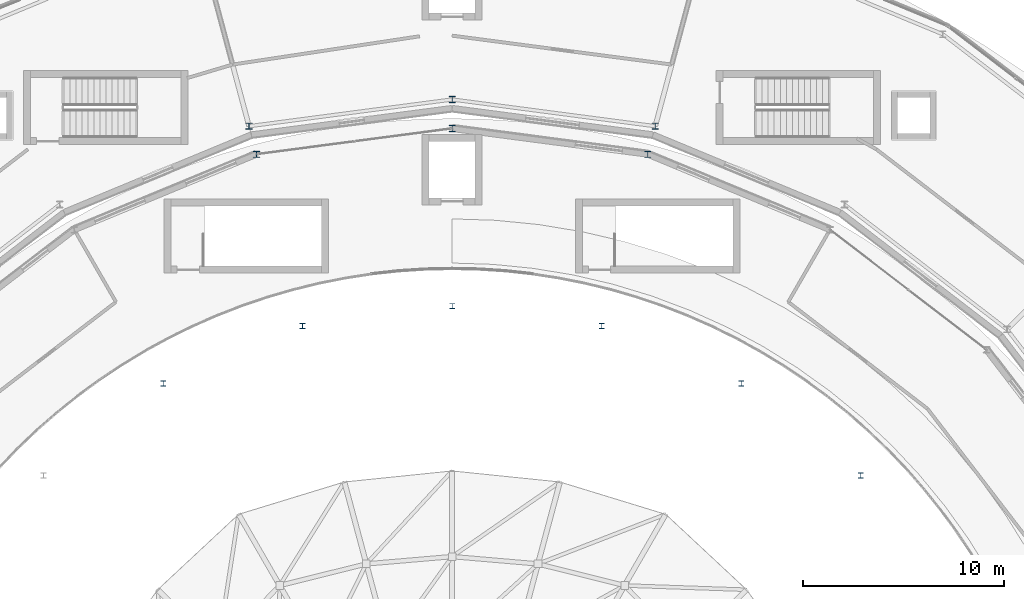
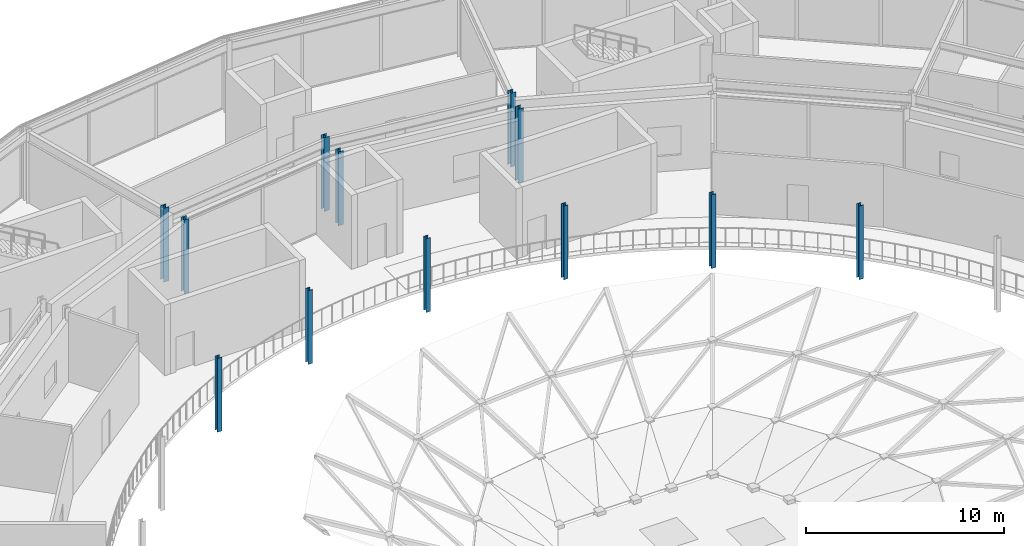
# One storey, part 10 of 116: 12 columns.
"""IFC4 building model written with IfcOpenShell, lengths in metres."""

import ifcopenshell
import ifcopenshell.guid

model = None  # the IFC model being written
_history = None  # IfcOwnerHistory: only IFC2X3 demands one
_inside = {}  # id of a spatial element -> (the spatial element, [elements in it])
_under = {}  # id of a project, library or spatial element -> (it, [spatial elements below it])
_declared = {}  # id of a project -> (the project, [libraries it declares])
_typed = {}  # id of a type object -> (the type object, [elements of that type])
_made_of = {}  # id of a material, layer set ... -> (it, [elements and type objects made of it])


def new_model(schema):
    """Start an empty IFC model of exactly this schema.

    Asked for "IFC4X3", IfcOpenShell would pick the latest addendum, in which some entities
    have other attributes; the version numbers below select the first issue.
    IFC2X3 requires an IfcOwnerHistory on every rooted entity: one is made here for all.
    """
    global model, _history
    if schema == "IFC4X3":
        model = ifcopenshell.file(schema_version=(4, 3, 0, 0))
    else:
        model = ifcopenshell.file(schema=schema)
    _inside.clear()
    _under.clear()
    _declared.clear()
    _typed.clear()
    _made_of.clear()
    _history = None
    if model.schema == "IFC2X3":
        org = make("IfcOrganization", Name="unknown")
        user = make(
            "IfcPersonAndOrganization",
            ThePerson=make("IfcPerson", FamilyName="unknown"),
            TheOrganization=org,
        )
        app = make(
            "IfcApplication",
            ApplicationDeveloper=org,
            Version="unknown",
            ApplicationFullName="unknown",
            ApplicationIdentifier="unknown",
        )
        _history = make(
            "IfcOwnerHistory",
            OwningUser=user,
            OwningApplication=app,
            ChangeAction="ADDED",
            CreationDate=0,
        )
    return model


def make(cls, **values):
    """One entity of the class cls with the attributes given. An attribute that is None is left unset."""
    return model.create_entity(
        cls, **{name: value for name, value in values.items() if value is not None}
    )


def rooted(cls, **values):
    """An entity with a GlobalId (a new one), such as an element, a storey or a relation."""
    return make(cls, GlobalId=ifcopenshell.guid.new(), OwnerHistory=_history, **values)


def si_unit(unit_type, name, prefix=None):
    """IfcSIUnit, for example si_unit("LENGTHUNIT", "METRE", prefix="MILLI")."""
    return make("IfcSIUnit", UnitType=unit_type, Prefix=prefix, Name=name)


def assignment(units):
    """IfcUnitAssignment: the units of a project."""
    return None if units is None else make("IfcUnitAssignment", Units=units)


def point(xyz):
    """IfcCartesianPoint."""
    return None if xyz is None else make("IfcCartesianPoint", Coordinates=xyz)


def direction(xyz):
    """IfcDirection."""
    return None if xyz is None else make("IfcDirection", DirectionRatios=xyz)


def frame(location, z_axis=None, x_axis=None):
    """IfcAxis2Placement3D, a coordinate frame: its origin and axes. An axis left out is left unset."""
    return make(
        "IfcAxis2Placement3D",
        Location=point(location),
        Axis=direction(z_axis),
        RefDirection=direction(x_axis),
    )


def frame_2d(location, x_axis=None):
    """IfcAxis2Placement2D, a coordinate frame in the plane: its origin and x axis."""
    return make(
        "IfcAxis2Placement2D", Location=point(location), RefDirection=direction(x_axis)
    )


def origin():
    """The frame at (0, 0, 0) with its axes left unset."""
    return frame((0.0, 0.0, 0.0))


def origin_2d():
    """The frame at (0, 0) in the plane with its x axis left unset."""
    return frame_2d((0.0, 0.0))


def place(relative_to, where):
    """IfcLocalPlacement: puts the frame where relative to a parent placement (None: the world)."""
    return make(
        "IfcLocalPlacement", PlacementRelTo=relative_to, RelativePlacement=where
    )


def context(
    kind, dimensions, precision=None, world=None, true_north=None, identifier=None
):
    """IfcGeometricRepresentationContext, for example the 3D "Model" context."""
    return make(
        "IfcGeometricRepresentationContext",
        ContextIdentifier=identifier,
        ContextType=kind,
        CoordinateSpaceDimension=dimensions,
        Precision=precision,
        WorldCoordinateSystem=world,
        TrueNorth=true_north,
    )


def subcontext(parent, identifier, kind, view, scale=None):
    """IfcGeometricRepresentationSubContext, for example "Body" below "Model"."""
    return make(
        "IfcGeometricRepresentationSubContext",
        ContextIdentifier=identifier,
        ContextType=kind,
        ParentContext=parent,
        TargetScale=scale,
        TargetView=view,
    )


def project(units=None, contexts=None):
    """IfcProject with its units and contexts."""
    return rooted(
        "IfcProject",
        Name="project",
        RepresentationContexts=contexts,
        UnitsInContext=assignment(units),
    )


def spatial(cls, under=None, at=None, **own):
    """A site, building, storey or space (cls), placed at a placement, below another one or the project."""
    s = rooted(cls, ObjectPlacement=at, **own)
    if under is not None:
        _under.setdefault(under.id(), (under, []))[1].append(s)
    return s


def profile(cls, at=None, kind="AREA", **sizes):
    """A parametric profile (cls). Its sizes go by their IFC names, for example OverallWidth=200.0."""
    return make(cls, ProfileType=kind, Position=at, **sizes)


def i_section(**sizes):
    """IfcIShapeProfileDef."""
    return profile("IfcIShapeProfileDef", **sizes)


def extrude(swept, where, along, depth):
    """IfcExtrudedAreaSolid: the profile swept, set in the frame where, extruded along a direction by depth."""
    return make(
        "IfcExtrudedAreaSolid",
        SweptArea=swept,
        Position=where,
        ExtrudedDirection=direction(along),
        Depth=depth,
    )


def shape(context_of_items, identifier, shape_type, items):
    """IfcShapeRepresentation: the items that make up one representation, for example the "Body"."""
    return make(
        "IfcShapeRepresentation",
        ContextOfItems=context_of_items,
        RepresentationIdentifier=identifier,
        RepresentationType=shape_type,
        Items=items,
    )


def material(Name=None, Category=None):
    """IfcMaterial."""
    return make("IfcMaterial", Name=Name, Category=Category)


def material_profile(
    of_material, cross_section, Name=None, Category=None, Priority=None
):
    """IfcMaterialProfile: a cross section and its material."""
    return make(
        "IfcMaterialProfile",
        Name=Name,
        Material=of_material,
        Profile=cross_section,
        Priority=Priority,
        Category=Category,
    )


def profile_set(profiles, Name=None, composite=None):
    """IfcMaterialProfileSet."""
    return make(
        "IfcMaterialProfileSet",
        Name=Name,
        MaterialProfiles=profiles,
        CompositeProfile=composite,
    )


def made_of(thing, what):
    """Note that an element or type object is made of a material, layer set ...; save() writes the relation."""
    if what is not None:
        _made_of.setdefault(what.id(), (what, []))[1].append(thing)
    return thing


def type_object(cls, material=None, **own):
    """A type object (cls), such as IfcWallType, which elements share."""
    return made_of(rooted(cls, **own), material)


def element(
    cls,
    number,
    at=None,
    inside=None,
    cuts=None,
    type_object=None,
    material=None,
    context=None,
    identifier="Body",
    shape_type=None,
    held_by="IfcProductDefinitionShape",
    body=None,
    shapes=None,
    **own,
):
    """One element of the class cls, such as IfcWall. Its Tag is "e" and its number.

    at: its placement. inside: the storey or other place that contains it. cuts: it is an
    opening in that element (IfcRelVoidsElement). A single representation is given by context,
    identifier, shape_type and body (its items); several are given by shapes. held_by: the class
    of the entity that holds the representations. save() writes the other relations.
    """
    e = rooted(cls, Tag="e%d" % number, ObjectPlacement=at, **own)
    if body is not None:
        shapes = [shape(context, identifier, shape_type, body)]
    if shapes is not None:
        e.Representation = make(held_by, Representations=shapes)
    if inside is not None:
        _inside.setdefault(inside.id(), (inside, []))[1].append(e)
    if cuts is not None:
        rooted(
            "IfcRelVoidsElement", RelatingBuildingElement=cuts, RelatedOpeningElement=e
        )
    if type_object is not None:
        _typed.setdefault(type_object.id(), (type_object, []))[1].append(e)
    return made_of(e, material)


def aggregate(whole, parts):
    """IfcRelAggregates: a whole, such as a stair, and the parts it consists of."""
    return rooted("IfcRelAggregates", RelatingObject=whole, RelatedObjects=parts)


def save(model, path):
    """Write the relations noted so far, then the file.

    IfcRelAggregates (storeys below a building ...), IfcRelContainedInSpatialStructure (elements
    in a storey), IfcRelDefinesByType, IfcRelAssociatesMaterial and IfcRelDeclares: one each for
    every whole, place, type object, material and project.
    """
    for whole, parts in _under.values():
        aggregate(whole, parts)
    for where, things in _inside.values():
        rooted(
            "IfcRelContainedInSpatialStructure",
            RelatedElements=things,
            RelatingStructure=where,
        )
    for kind, things in _typed.values():
        rooted("IfcRelDefinesByType", RelatedObjects=things, RelatingType=kind)
    for what, things in _made_of.values():
        rooted("IfcRelAssociatesMaterial", RelatedObjects=things, RelatingMaterial=what)
    for by, libraries in _declared.values():
        rooted("IfcRelDeclares", RelatingContext=by, RelatedDefinitions=libraries)
    model.write(path)


model = new_model("IFC4")

# Units and contexts
model_context = context("Model", 3, precision=1e-05, world=origin(), true_north=direction((0.0, 1.0)))
body_context = subcontext(model_context, "Body", "Model", "MODEL_VIEW")
ifc_project = project(units=[si_unit("LENGTHUNIT", "METRE"), si_unit("AREAUNIT", "SQUARE_METRE"), si_unit("VOLUMEUNIT", "CUBIC_METRE"), si_unit("PLANEANGLEUNIT", "RADIAN"), si_unit("MASSUNIT", "GRAM", prefix="KILO")], contexts=[model_context])

# Site, building, storey
site_placement = place(None, origin())
site = spatial("IfcSite", under=ifc_project, at=site_placement, CompositionType="ELEMENT")
building_placement = place(site_placement, origin())
building = spatial("IfcBuilding", under=site, at=building_placement, Name="Almandine Court Research Institute", CompositionType="ELEMENT")
storey_placement = place(building_placement, frame((0.0, 0.0, 14.35009765625)))
storey = spatial("IfcBuildingStorey", under=building, at=storey_placement, Name="L03", CompositionType="ELEMENT", Elevation=14.35009765625)

# Columns
ifc_material = material(Name="Steel ASTM A992 Grade 50", Category="steel")
ifc_material_profile_1 = material_profile(ifc_material, i_section(OverallWidth=0.305908203125, OverallDepth=0.31103515625, WebThickness=0.010986328125, FlangeThickness=0.01708984375, at=origin_2d()), Name="W310x107")
ifc_profile_set_1 = profile_set([ifc_material_profile_1], Name="Steel ASTM A992 Grade 50")
column_type_1 = type_object("IfcColumnType", Name="Col-C-W08", PredefinedType="COLUMN", material=ifc_profile_set_1)
for number, where, z_axis, x_axis, name in (
    (1, (96.7451171875, 92.366943359375, 0.0), (0.0, 0.0, 1.0), (1.0, 0.0, 0.0), "L03 V2 Column V2-OUT-S05"),
    (2, (87.0, 93.64990234375, 0.0), (0.0, 0.0, 1.0), (1.0, 0.0, 0.0), "L03 V2 Column V2-OUT-S06"),
    (3, (77.2548828125, 92.366943359375, 0.0), (0.0, 0.0, 1.0), (1.0, 0.0, 0.0), "L03 V2 Column V2-OUT-S07"),
):
    element("IfcColumn", number, at=place(storey_placement, frame(where, z_axis=z_axis, x_axis=x_axis)), inside=storey, type_object=column_type_1, Name=name, PredefinedType="COLUMN", context=body_context, shape_type="SweptSolid", body=[
        extrude(i_section(OverallWidth=0.305908203125, OverallDepth=0.31103515625, WebThickness=0.010986328125, FlangeThickness=0.01708984375, at=origin_2d()), origin(), (0.0, 0.0, 1.0), 4.5498046875),
    ])
ifc_material_profile_2 = material_profile(ifc_material, i_section(OverallWidth=0.305908203125, OverallDepth=0.31103515625, WebThickness=0.010986328125, FlangeThickness=0.01708984375, at=origin_2d()), Name="W310x107")
ifc_profile_set_2 = profile_set([ifc_material_profile_2], Name="Steel ASTM A992 Grade 50")
column_type_2 = type_object("IfcColumnType", Name="Col-C-W08-E", PredefinedType="COLUMN", material=ifc_profile_set_2)
for number, where, z_axis, x_axis, name in (
    (4, (97.1201171875, 93.76806640625, 0.0), (0.0, 0.0, 1.0), (1.0, 0.0, 0.0), "L03 V5 Column V5-IN-S05"),
    (5, (87.0, 95.10009765625, 0.0), (0.0, 0.0, 1.0), (1.0, 0.0, 0.0), "L03 V5 Column V5-IN-S06"),
    (6, (76.8798828125, 93.76806640625, 0.0), (0.0, 0.0, 1.0), (1.0, 0.0, 0.0), "L03 V5 Column V5-IN-S07"),
):
    element("IfcColumn", number, at=place(storey_placement, frame(where, z_axis=z_axis, x_axis=x_axis)), inside=storey, type_object=column_type_2, Name=name, PredefinedType="COLUMN", context=body_context, shape_type="SweptSolid", body=[
        extrude(i_section(OverallWidth=0.305908203125, OverallDepth=0.31103515625, WebThickness=0.010986328125, FlangeThickness=0.01708984375, at=origin_2d()), origin(), (0.0, 0.0, 1.0), 4.5498046875),
    ])
ifc_material_profile_3 = material_profile(ifc_material, i_section(OverallWidth=0.257080078125, OverallDepth=0.263916015625, WebThickness=0.011962890625, FlangeThickness=0.02001953125, at=origin_2d()), Name="W250x101")
ifc_profile_set_3 = profile_set([ifc_material_profile_3], Name="Steel ASTM A992 Grade 50")
column_type_3 = type_object("IfcColumnType", Name="Col-C-W09", PredefinedType="COLUMN", material=ifc_profile_set_3)
for number, where, z_axis, x_axis, name in (
    (7, (107.364990234375, 76.364990234375, 0.0), (0.0, 0.0, 1.0), (1.0, 0.0, 0.0), "L03 V2 Column V2-MID-S03"),
    (8, (101.39990234375, 80.94189453125, 0.0), (0.0, 0.0, 1.0), (1.0, 0.0, 0.0), "L03 V2 Column V2-MID-S04"),
    (9, (94.4541015625, 83.819091796875, 0.0), (0.0, 0.0, 1.0), (1.0, 0.0, 0.0), "L03 V2 Column V2-MID-S05"),
    (10, (87.0, 84.800048828125, 0.0), (0.0, 0.0, 1.0), (1.0, 0.0, 0.0), "L03 V2 Column V2-MID-S06"),
    (11, (79.5458984375, 83.819091796875, 0.0), (0.0, 0.0, 1.0), (1.0, 0.0, 0.0), "L03 V2 Column V2-MID-S07"),
    (12, (72.60009765625, 80.94189453125, 0.0), (0.0, 0.0, 1.0), (1.0, 0.0, 0.0), "L03 V2 Column V2-MID-S08"),
):
    element("IfcColumn", number, at=place(storey_placement, frame(where, z_axis=z_axis, x_axis=x_axis)), inside=storey, type_object=column_type_3, Name=name, PredefinedType="COLUMN", context=body_context, shape_type="SweptSolid", body=[
        extrude(i_section(OverallWidth=0.257080078125, OverallDepth=0.263916015625, WebThickness=0.011962890625, FlangeThickness=0.02001953125, at=origin_2d()), origin(), (0.0, 0.0, 1.0), 4.5498046875),
    ])

save(model, "model.ifc")
